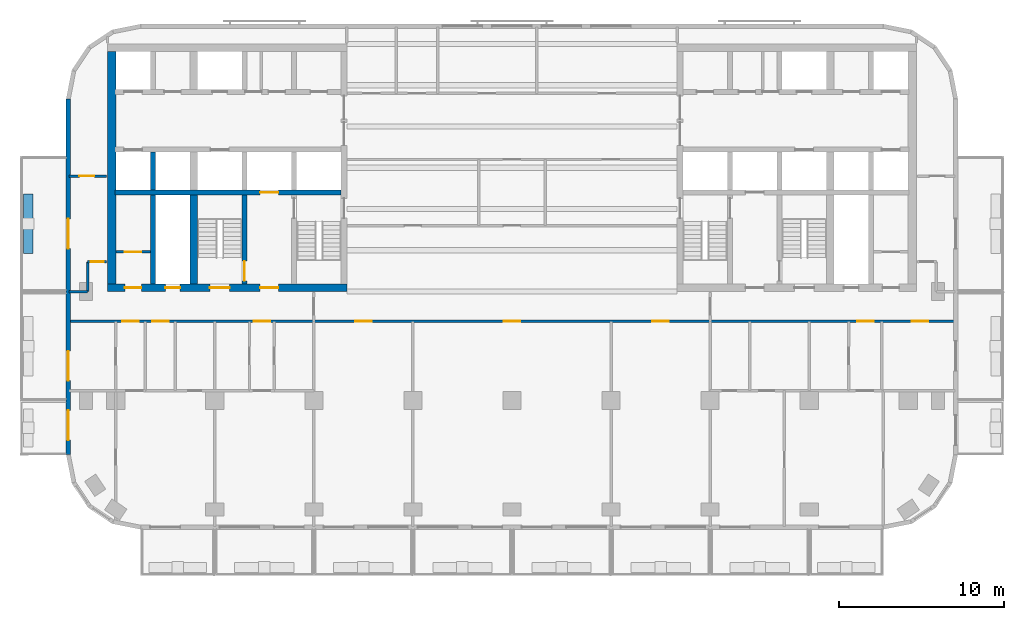
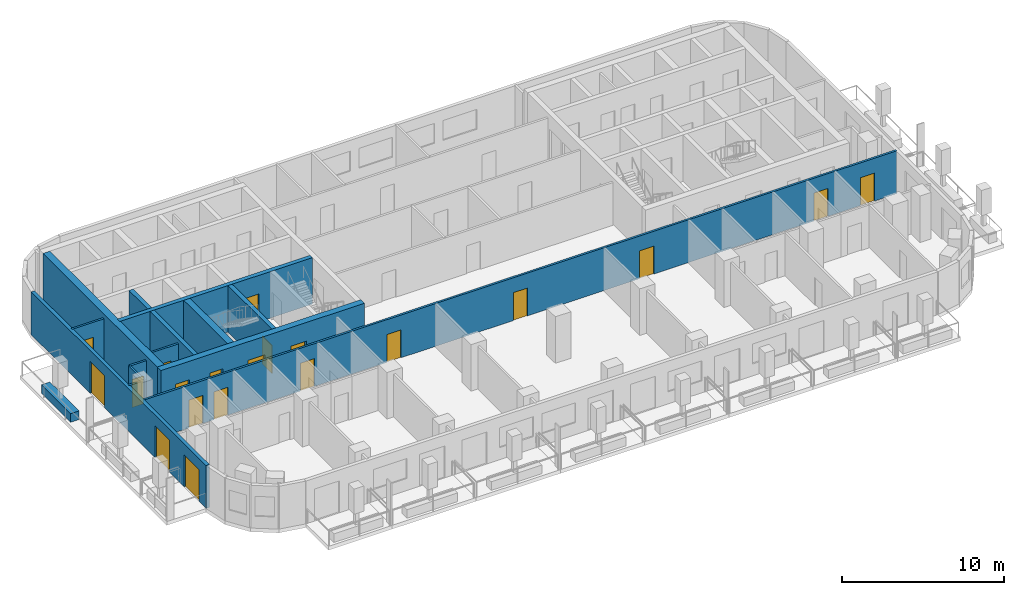
# One storey, part 3 of 11: 20 doors, 15 walls, 20 openings.
"""IFC4 building model written with IfcOpenShell, lengths in metres."""

from ifc_helpers import new_model, si_unit, direction, frame, frame_2d, origin, place, context, subcontext, project, spatial, rectangle, extrude, material, layer, layer_set, type_object, element, fill, save


model = new_model("IFC4")

# Units and contexts
model_context = context("Model", 3, precision=1e-05, world=origin(), true_north=direction((0.0, 1.0)))
body_context = subcontext(model_context, "Body", "Model", "MODEL_VIEW")
ifc_project = project(units=[si_unit("LENGTHUNIT", "METRE"), si_unit("AREAUNIT", "SQUARE_METRE"), si_unit("VOLUMEUNIT", "CUBIC_METRE"), si_unit("PLANEANGLEUNIT", "RADIAN"), si_unit("MASSUNIT", "GRAM", prefix="KILO")], contexts=[model_context])

# Site, building, storey
site_placement = place(None, origin())
site = spatial("IfcSite", under=ifc_project, at=site_placement, CompositionType="ELEMENT")
building_placement = place(site_placement, origin())
building = spatial("IfcBuilding", under=site, at=building_placement, Name="Torana Hotel and Residences", CompositionType="ELEMENT")
storey_placement = place(building_placement, frame((0.0, 0.0, 222.10009765625)))
storey = spatial("IfcBuildingStorey", under=building, at=storey_placement, Name="L58", CompositionType="ELEMENT", Elevation=222.10009765625)

# Wall, opening, door
ifc_material_1 = material(Name="Concrete C70/85", Category="concrete")
ifc_layer_1 = layer(ifc_material_1, 0.300048828125)
ifc_layer_set_1 = layer_set([ifc_layer_1], Name="CORE WALL 300 C70/85")
wall_type_1 = type_object("IfcWallType", Name="CORE WALL 300 C70/85", PredefinedType="SHEAR", material=ifc_layer_set_1)
wall_1_placement = place(storey_placement, frame((-24.050048828125, -9.0, 0.0), z_axis=(0.0, 0.0, 1.0), x_axis=(1.0, 0.0, 0.0)))
wall_1 = element("IfcWall", 1, at=wall_1_placement, inside=storey, type_object=wall_type_1, Name="Core wall W band", PredefinedType="SHEAR", context=body_context, shape_type="SweptSolid", body=[
    extrude(rectangle(XDim=13.699951171875, YDim=0.300048828125, at=frame_2d((6.85009765625, 0.0))), origin(), (0.0, 0.0, 1.0), 3.5),
])
opening_1_placement = place(wall_1_placement, frame((8.800048828125, 0.0, 0.0)))
opening_1 = element("IfcOpeningElement", 2, at=opening_1_placement, cuts=wall_1, Name="Opening LD", PredefinedType="OPENING", context=body_context, shape_type="SweptSolid", body=[
    extrude(rectangle(XDim=1.10009765625, YDim=2.10009765625, at=frame_2d((0.550048828125, 1.050048828125))), frame((0.0, 0.159912109375, 0.0), z_axis=(0.0, -1.0, 0.0), x_axis=(1.0, 0.0, 0.0)), (0.0, 0.0, 1.0), 0.320068359375),
])
ifc_material_2 = material(Name="Stainless steel 316", Category="steel")
door_type_1 = type_object("IfcDoorType", Name="LIFT LANDING DOOR LD 1100x2100", OperationType="DOUBLE_DOOR_SLIDING", PredefinedType="USERDEFINED", material=ifc_material_2)
door_1_placement = place(opening_1_placement, origin())
door_1 = element("IfcDoor", 3, at=door_1_placement, inside=storey, type_object=door_type_1, Name="Lift landing door FF1 L58", ObjectType="LIFT LANDING DOOR", OperationType="DOUBLE_DOOR_SLIDING", OverallHeight=2.10009765625, OverallWidth=1.10009765625, PredefinedType="USERDEFINED", context=body_context, shape_type="SweptSolid", body=[
    extrude(rectangle(XDim=1.10009765625, YDim=2.10009765625, at=frame_2d((0.550048828125, 1.050048828125))), frame((0.0, 0.02490234375, 0.0), z_axis=(0.0, -1.0, 0.0), x_axis=(1.0, 0.0, 0.0)), (0.0, 0.0, 1.0), 0.050048828125),
])
fill(opening_1, door_1)

wall_2_placement = place(storey_placement, frame((-16.199951171875, -14.550048828125, 0.0), z_axis=(0.0, 0.0, 1.0), x_axis=(0.0, 1.0, 0.0)))
wall_2 = element("IfcWall", 4, at=wall_2_placement, inside=storey, type_object=wall_type_1, Name="Core wall W x6.05-band", PredefinedType="SHEAR", context=body_context, shape_type="SweptSolid", body=[
    extrude(rectangle(XDim=5.400146484375, YDim=0.300048828125, at=frame_2d((2.7001953125, 0.0))), origin(), (0.0, 0.0, 1.0), 3.5),
])
opening_2_placement = place(wall_2_placement, frame((0.199951171875, 0.0, 0.0)))
opening_2 = element("IfcOpeningElement", 5, at=opening_2_placement, cuts=wall_2, Name="Opening L58-14", PredefinedType="OPENING", context=body_context, shape_type="SweptSolid", body=[
    extrude(rectangle(XDim=1.199951171875, YDim=2.10009765625, at=frame_2d((0.60009765625, 1.050048828125))), frame((0.0, 0.159912109375, 0.0), z_axis=(0.0, -1.0, 0.0), x_axis=(1.0, 0.0, 0.0)), (0.0, 0.0, 1.0), 0.320068359375),
])
ifc_material_3 = material(Name="Steel S235", Category="steel")
door_type_2 = type_object("IfcDoorType", Name="STAIR FIRE DOOR D3 1200x2100", OperationType="SINGLE_SWING_LEFT", PredefinedType="DOOR", material=ifc_material_3)
door_2_placement = place(opening_2_placement, origin())
door_2 = element("IfcDoor", 6, at=door_2_placement, inside=storey, type_object=door_type_2, Name="Stair-B-lobby door L58", OperationType="SINGLE_SWING_RIGHT", OverallHeight=2.10009765625, OverallWidth=1.199951171875, PredefinedType="DOOR", context=body_context, shape_type="SweptSolid", body=[
    extrude(rectangle(XDim=1.199951171875, YDim=2.10009765625, at=frame_2d((0.60009765625, 1.050048828125))), frame((0.0, 0.02490234375, 0.0), z_axis=(0.0, -1.0, 0.0), x_axis=(1.0, 0.0, 0.0)), (0.0, 0.0, 1.0), 0.050048828125),
])
fill(opening_2, door_2)

# Walls
wall_3_placement = place(storey_placement, frame((-21.75, -8.85009765625, 0.0), z_axis=(0.0, 0.0, 1.0), x_axis=(0.0, 1.0, 0.0)))
element("IfcWall", 7, at=wall_3_placement, inside=storey, type_object=wall_type_1, Name="Core wall W mm-S", PredefinedType="SHEAR", context=body_context, shape_type="SweptSolid", body=[
    extrude(rectangle(XDim=2.300048828125, YDim=0.300048828125, at=frame_2d((1.14990234375, 0.0))), origin(), (0.0, 0.0, 1.0), 3.5),
])
wall_4_placement = place(storey_placement, frame((-21.75, -14.550048828125, 0.0), z_axis=(0.0, 0.0, 1.0), x_axis=(0.0, 1.0, 0.0)))
element("IfcWall", 8, at=wall_4_placement, inside=storey, type_object=wall_type_1, Name="Core wall W mm-band", PredefinedType="SHEAR", context=body_context, shape_type="SweptSolid", body=[
    extrude(rectangle(XDim=5.400146484375, YDim=0.300048828125, at=frame_2d((2.7001953125, 0.0))), origin(), (0.0, 0.0, 1.0), 3.5),
])

# Wall, openings, doors
ifc_material_4 = material(Name="Concrete C70/85", Category="concrete")
ifc_layer_2 = layer(ifc_material_4, 0.449951171875)
ifc_layer_set_2 = layer_set([ifc_layer_2], Name="CORE WALL 450 C70/85")
wall_type_2 = type_object("IfcWallType", Name="CORE WALL 450 C70/85", PredefinedType="SHEAR", material=ifc_layer_set_2)
wall_5_placement = place(storey_placement, frame((-24.5, -14.77490234375, 0.0), z_axis=(0.0, 0.0, 1.0), x_axis=(1.0, 0.0, 0.0)))
wall_5 = element("IfcWall", 9, at=wall_5_placement, inside=storey, type_object=wall_type_2, Name="Core wall W front", PredefinedType="SHEAR", context=body_context, shape_type="SweptSolid", body=[
    extrude(rectangle(XDim=14.5, YDim=0.449951171875, at=frame_2d((7.25, 0.0))), origin(), (0.0, 0.0, 1.0), 3.5),
])
opening_3_placement = place(wall_5_placement, frame((6.199951171875, 0.0, 0.0)))
opening_3 = element("IfcOpeningElement", 10, at=opening_3_placement, cuts=wall_5, Name="Opening L58-04", PredefinedType="OPENING", context=body_context, shape_type="SweptSolid", body=[
    extrude(rectangle(XDim=1.199951171875, YDim=2.10009765625, at=frame_2d((0.60009765625, 1.050048828125))), frame((0.0, 0.23486328125, 0.0), z_axis=(0.0, -1.0, 0.0), x_axis=(1.0, 0.0, 0.0)), (0.0, 0.0, 1.0), 0.469970703125),
])
opening_4_placement = place(wall_5_placement, frame((9.25, 0.0, 0.0)))
opening_4 = element("IfcOpeningElement", 11, at=opening_4_placement, cuts=wall_5, Name="Opening L58-05", PredefinedType="OPENING", context=body_context, shape_type="SweptSolid", body=[
    extrude(rectangle(XDim=1.10009765625, YDim=2.10009765625, at=frame_2d((0.550048828125, 1.050048828125))), frame((0.0, 0.23486328125, 0.0), z_axis=(0.0, -1.0, 0.0), x_axis=(1.0, 0.0, 0.0)), (0.0, 0.0, 1.0), 0.469970703125),
])
opening_5_placement = place(wall_5_placement, frame((3.5, 0.0, 0.0)))
opening_5 = element("IfcOpeningElement", 12, at=opening_5_placement, cuts=wall_5, Name="Opening L58-06", PredefinedType="OPENING", context=body_context, shape_type="SweptSolid", body=[
    extrude(rectangle(XDim=0.89990234375, YDim=2.10009765625, at=frame_2d((0.449951171875, 1.050048828125))), frame((0.0, 0.23486328125, 0.0), z_axis=(0.0, -1.0, 0.0), x_axis=(1.0, 0.0, 0.0)), (0.0, 0.0, 1.0), 0.469970703125),
])
opening_6_placement = place(wall_5_placement, frame((1.050048828125, 0.0, 0.0)))
opening_6 = element("IfcOpeningElement", 13, at=opening_6_placement, cuts=wall_5, Name="Opening L58-07", PredefinedType="OPENING", context=body_context, shape_type="SweptSolid", body=[
    extrude(rectangle(XDim=1.0, YDim=2.10009765625, at=frame_2d((0.5, 1.050048828125))), frame((0.0, 0.23486328125, 0.0), z_axis=(0.0, -1.0, 0.0), x_axis=(1.0, 0.0, 0.0)), (0.0, 0.0, 1.0), 0.469970703125),
])
ifc_material_5 = material(Name="Steel S235", Category="steel")
door_type_3 = type_object("IfcDoorType", Name="CORE ROOM FIRE DOOR D14 1000x2100", OperationType="SINGLE_SWING_LEFT", PredefinedType="DOOR", material=ifc_material_5)
door_3_placement = place(opening_6_placement, origin())
door_3 = element("IfcDoor", 14, at=door_3_placement, inside=storey, type_object=door_type_3, Name="M-Room-B door L58", OperationType="SINGLE_SWING_RIGHT", OverallHeight=2.10009765625, OverallWidth=1.0, PredefinedType="DOOR", context=body_context, shape_type="SweptSolid", body=[
    extrude(rectangle(XDim=1.0, YDim=2.10009765625, at=frame_2d((0.5, 1.050048828125))), frame((0.0, 0.02490234375, 0.0), z_axis=(0.0, -1.0, 0.0), x_axis=(1.0, 0.0, 0.0)), (0.0, 0.0, 1.0), 0.050048828125),
])
fill(opening_6, door_3)
ifc_material_6 = material(Name="Steel S235", Category="steel")
door_type_4 = type_object("IfcDoorType", Name="FIRE-FIGHTING LOBBY DOOR D8 1100x2100", OperationType="SINGLE_SWING_LEFT", PredefinedType="DOOR", material=ifc_material_6)
door_4_placement = place(opening_4_placement, origin())
door_4 = element("IfcDoor", 15, at=door_4_placement, inside=storey, type_object=door_type_4, Name="FF-lobby door L58", OperationType="SINGLE_SWING_RIGHT", OverallHeight=2.10009765625, OverallWidth=1.10009765625, PredefinedType="DOOR", context=body_context, shape_type="SweptSolid", body=[
    extrude(rectangle(XDim=1.10009765625, YDim=2.10009765625, at=frame_2d((0.550048828125, 1.050048828125))), frame((0.0, 0.02490234375, 0.0), z_axis=(0.0, -1.0, 0.0), x_axis=(1.0, 0.0, 0.0)), (0.0, 0.0, 1.0), 0.050048828125),
])
fill(opening_4, door_4)
ifc_material_7 = material(Name="Steel S235", Category="steel")
door_type_5 = type_object("IfcDoorType", Name="RISER ACCESS DOOR D5 900x2100", OperationType="SINGLE_SWING_LEFT", PredefinedType="DOOR", material=ifc_material_7)
door_5_placement = place(opening_5_placement, origin())
door_5 = element("IfcDoor", 16, at=door_5_placement, inside=storey, type_object=door_type_5, Name="M-Riser door L58", OperationType="SINGLE_SWING_RIGHT", OverallHeight=2.10009765625, OverallWidth=0.89990234375, PredefinedType="DOOR", context=body_context, shape_type="SweptSolid", body=[
    extrude(rectangle(XDim=0.89990234375, YDim=2.10009765625, at=frame_2d((0.449951171875, 1.050048828125))), frame((0.0, 0.02490234375, 0.0), z_axis=(0.0, -1.0, 0.0), x_axis=(1.0, 0.0, 0.0)), (0.0, 0.0, 1.0), 0.050048828125),
])
fill(opening_5, door_5)
door_6_placement = place(opening_3_placement, origin())
door_6 = element("IfcDoor", 17, at=door_6_placement, inside=storey, type_object=door_type_2, Name="Stair-B door L58", OperationType="SINGLE_SWING_RIGHT", OverallHeight=2.10009765625, OverallWidth=1.199951171875, PredefinedType="DOOR", context=body_context, shape_type="SweptSolid", body=[
    extrude(rectangle(XDim=1.199951171875, YDim=2.10009765625, at=frame_2d((0.60009765625, 1.050048828125))), frame((0.0, 0.02490234375, 0.0), z_axis=(0.0, -1.0, 0.0), x_axis=(1.0, 0.0, 0.0)), (0.0, 0.0, 1.0), 0.050048828125),
])
fill(opening_3, door_6)

# Walls
wall_6_placement = place(storey_placement, frame((-19.27490234375, -14.550048828125, 0.0), z_axis=(0.0, 0.0, 1.0), x_axis=(0.0, 1.0, 0.0)))
element("IfcWall", 18, at=wall_6_placement, inside=storey, type_object=wall_type_2, Name="Core wall W hm-band", PredefinedType="SHEAR", context=body_context, shape_type="SweptSolid", body=[
    extrude(rectangle(XDim=5.400146484375, YDim=0.449951171875, at=frame_2d((2.7001953125, 0.0))), origin(), (0.0, 0.0, 1.0), 3.5),
])
ifc_material_8 = material(Name="Concrete C70/85", Category="concrete")
ifc_layer_3 = layer(ifc_material_8, 0.5)
ifc_layer_set_3 = layer_set([ifc_layer_3], Name="CORE WALL 500 C70/85")
wall_type_3 = type_object("IfcWallType", Name="CORE WALL 500 C70/85", PredefinedType="SHEAR", material=ifc_layer_set_3)
wall_7_placement = place(storey_placement, frame((-24.25, -14.550048828125, 0.0), z_axis=(0.0, 0.0, 1.0), x_axis=(0.0, 1.0, 0.0)))
element("IfcWall", 19, at=wall_7_placement, inside=storey, type_object=wall_type_3, Name="Core wall W outer", PredefinedType="SHEAR", context=body_context, shape_type="SweptSolid", body=[
    extrude(rectangle(XDim=14.10009765625, YDim=0.5, at=frame_2d((7.050048828125, 0.0))), origin(), (0.0, 0.0, 1.0), 3.5),
])

# Wall, openings, doors
ifc_material_9 = material(Name="Black aluminium composite panel", Category="aluminium")
ifc_layer_4 = layer(ifc_material_9, 0.00390625, Name="Cladding", Category="cladding")
ifc_material_10 = material(Name="Ventilated air cavity")
ifc_layer_5 = layer(ifc_material_10, 0.0400390625, Name="Ventilated cavity", Category="cavity")
ifc_material_11 = material(Name="Mineral wool insulation")
ifc_layer_6 = layer(ifc_material_11, 0.090087890625, Name="Insulation", Category="insulation")
ifc_material_12 = material(Name="Steel S280GD", Category="steel")
ifc_layer_7 = layer(ifc_material_12, 0.092041015625, Name="Steel stud frame", Category="structure")
ifc_material_13 = material(Name="Fire rated plasterboard")
ifc_layer_8 = layer(ifc_material_13, 0.011962890625, Name="Inner board", Category="finish")
ifc_layer_9 = layer(ifc_material_13, 0.011962890625, Name="Second board", Category="finish")
ifc_layer_set_4 = layer_set([ifc_layer_4, ifc_layer_5, ifc_layer_6, ifc_layer_7, ifc_layer_8, ifc_layer_9], Name="EW1 EXTERNAL WALL BLACK METAL CLAD 250")
wall_type_4 = type_object("IfcWallType", Name="EW1 EXTERNAL WALL BLACK METAL CLAD 250", PredefinedType="SOLIDWALL", material=ifc_layer_set_4)
wall_8_placement = place(storey_placement, frame((-26.875, -3.32470703125, 0.0), z_axis=(0.0, 0.0, 1.0), x_axis=(0.0, -1.0, 0.0)))
wall_8 = element("IfcWall", 20, at=wall_8_placement, inside=storey, type_object=wall_type_4, Name="External wall L58 e0.9", PredefinedType="SOLIDWALL", context=body_context, shape_type="SweptSolid", body=[
    extrude(rectangle(XDim=21.55078125, YDim=0.25, at=frame_2d((10.775390625, 0.0))), origin(), (0.0, 0.0, 1.0), 3.219970703125),
])
opening_7_placement = place(wall_8_placement, frame((7.275390625, 0.0, 0.0)))
opening_7 = element("IfcOpeningElement", 21, at=opening_7_placement, cuts=wall_8, Name="Opening L58-E12", PredefinedType="OPENING", context=body_context, shape_type="SweptSolid", body=[
    extrude(rectangle(XDim=1.800048828125, YDim=2.39990234375, at=frame_2d((0.89990234375, 1.199951171875))), frame((0.0, 0.135009765625, 0.0), z_axis=(0.0, -1.0, 0.0), x_axis=(1.0, 0.0, 0.0)), (0.0, 0.0, 1.0), 0.27001953125),
])
opening_8_placement = place(wall_8_placement, frame((15.275390625, 0.0, 0.0)))
opening_8 = element("IfcOpeningElement", 22, at=opening_8_placement, cuts=wall_8, Name="Opening L58-E13", PredefinedType="OPENING", context=body_context, shape_type="SweptSolid", body=[
    extrude(rectangle(XDim=1.800048828125, YDim=2.39990234375, at=frame_2d((0.89990234375, 1.199951171875))), frame((0.0, 0.135009765625, 0.0), z_axis=(0.0, -1.0, 0.0), x_axis=(1.0, 0.0, 0.0)), (0.0, 0.0, 1.0), 0.27001953125),
])
opening_9_placement = place(wall_8_placement, frame((18.87548828125, 0.0, 0.0)))
opening_9 = element("IfcOpeningElement", 23, at=opening_9_placement, cuts=wall_8, Name="Opening L58-E14", PredefinedType="OPENING", context=body_context, shape_type="SweptSolid", body=[
    extrude(rectangle(XDim=1.800048828125, YDim=2.39990234375, at=frame_2d((0.89990234375, 1.199951171875))), frame((0.0, 0.135009765625, 0.0), z_axis=(0.0, -1.0, 0.0), x_axis=(1.0, 0.0, 0.0)), (0.0, 0.0, 1.0), 0.27001953125),
])
ifc_material_14 = material(Name="Dark glass in black aluminium frame", Category="aluminium")
door_type_6 = type_object("IfcDoorType", Name="DB1 BALCONY DOOR 1800x2400", OperationType="DOUBLE_DOOR_SINGLE_SWING", PredefinedType="DOOR", material=ifc_material_14)
door_7_placement = place(opening_7_placement, origin())
door_7 = element("IfcDoor", 24, at=door_7_placement, inside=storey, type_object=door_type_6, Name="Balcony door L58", OperationType="DOUBLE_DOOR_SINGLE_SWING", OverallHeight=2.39990234375, OverallWidth=1.800048828125, PredefinedType="DOOR", context=body_context, shape_type="SweptSolid", body=[
    extrude(rectangle(XDim=1.800048828125, YDim=2.39990234375, at=frame_2d((0.89990234375, 1.199951171875))), frame((0.0, 0.02490234375, 0.0), z_axis=(0.0, -1.0, 0.0), x_axis=(1.0, 0.0, 0.0)), (0.0, 0.0, 1.0), 0.050048828125),
])
fill(opening_7, door_7)
door_8_placement = place(opening_8_placement, origin())
door_8 = element("IfcDoor", 25, at=door_8_placement, inside=storey, type_object=door_type_6, Name="Balcony door L58", OperationType="DOUBLE_DOOR_SINGLE_SWING", OverallHeight=2.39990234375, OverallWidth=1.800048828125, PredefinedType="DOOR", context=body_context, shape_type="SweptSolid", body=[
    extrude(rectangle(XDim=1.800048828125, YDim=2.39990234375, at=frame_2d((0.89990234375, 1.199951171875))), frame((0.0, 0.02490234375, 0.0), z_axis=(0.0, -1.0, 0.0), x_axis=(1.0, 0.0, 0.0)), (0.0, 0.0, 1.0), 0.050048828125),
])
fill(opening_8, door_8)
door_9_placement = place(opening_9_placement, origin())
door_9 = element("IfcDoor", 26, at=door_9_placement, inside=storey, type_object=door_type_6, Name="Balcony door L58", OperationType="DOUBLE_DOOR_SINGLE_SWING", OverallHeight=2.39990234375, OverallWidth=1.800048828125, PredefinedType="DOOR", context=body_context, shape_type="SweptSolid", body=[
    extrude(rectangle(XDim=1.800048828125, YDim=2.39990234375, at=frame_2d((0.89990234375, 1.199951171875))), frame((0.0, 0.02490234375, 0.0), z_axis=(0.0, -1.0, 0.0), x_axis=(1.0, 0.0, 0.0)), (0.0, 0.0, 1.0), 0.050048828125),
])
fill(opening_9, door_9)

# Wall, opening, door
ifc_material_15 = material(Name="Gypsum plaster")
ifc_layer_10 = layer(ifc_material_15, 0.014892578125, Name="Plaster", Category="finish")
ifc_material_16 = material(Name="Concrete blockwork", Category="masonry")
ifc_layer_11 = layer(ifc_material_16, 0.1201171875, Name="Blockwork", Category="structure")
ifc_layer_12 = layer(ifc_material_15, 0.014892578125, Name="Plaster", Category="finish")
ifc_layer_set_5 = layer_set([ifc_layer_10, ifc_layer_11, ifc_layer_12], Name="FIRE PARTITION 150 BLOCKWORK")
wall_type_5 = type_object("IfcWallType", Name="FIRE PARTITION 150 BLOCKWORK", PredefinedType="PARTITIONING", material=ifc_layer_set_5)
wall_9_placement = place(storey_placement, frame((-24.0, -12.60009765625, 0.0), z_axis=(0.0, 0.0, 1.0), x_axis=(1.0, 0.0, 0.0)))
wall_9 = element("IfcWall", 27, at=wall_9_placement, inside=storey, type_object=wall_type_5, Name="Core partition L58", PredefinedType="PARTITIONING", context=body_context, shape_type="SweptSolid", body=[
    extrude(rectangle(XDim=2.10009765625, YDim=0.14990234375, at=frame_2d((1.050048828125, 0.0))), origin(), (0.0, 0.0, 1.0), 3.199951171875),
])
opening_10_placement = place(wall_9_placement, frame((0.550048828125, 0.0, 0.0)))
opening_10 = element("IfcOpeningElement", 28, at=opening_10_placement, cuts=wall_9, Name="Opening L58-29", PredefinedType="OPENING", context=body_context, shape_type="SweptSolid", body=[
    extrude(rectangle(XDim=1.0, YDim=2.10009765625, at=frame_2d((0.5, 1.050048828125))), frame((0.0, 0.0849609375, 0.0), z_axis=(0.0, -1.0, 0.0), x_axis=(1.0, 0.0, 0.0)), (0.0, 0.0, 1.0), 0.169921875),
])
door_10_placement = place(opening_10_placement, origin())
door_10 = element("IfcDoor", 29, at=door_10_placement, inside=storey, type_object=door_type_3, Name="Plant room door L58", OperationType="SINGLE_SWING_RIGHT", OverallHeight=2.10009765625, OverallWidth=1.0, PredefinedType="DOOR", context=body_context, shape_type="SweptSolid", body=[
    extrude(rectangle(XDim=1.0, YDim=2.10009765625, at=frame_2d((0.5, 1.050048828125))), frame((0.0, 0.02490234375, 0.0), z_axis=(0.0, -1.0, 0.0), x_axis=(1.0, 0.0, 0.0)), (0.0, 0.0, 1.0), 0.050048828125),
])
fill(opening_10, door_10)

# Wall
wall_10_placement = place(storey_placement, frame((-25.699951171875, -15.0, 0.0), z_axis=(0.0, 0.0, 1.0), x_axis=(0.0, 1.0, 0.0)))
element("IfcWall", 30, at=wall_10_placement, inside=storey, type_object=wall_type_5, Name="Partition L58", PredefinedType="PARTITIONING", context=body_context, shape_type="SweptSolid", body=[
    extrude(rectangle(XDim=1.800048828125, YDim=0.14990234375, at=frame_2d((0.89990234375, 0.0))), origin(), (0.0, 0.0, 1.0), 3.219970703125),
])

# Wall, openings, doors
wall_11_placement = place(storey_placement, frame((-26.820068359375, -16.800048828125, 0.0), z_axis=(0.0, 0.0, 1.0), x_axis=(1.0, 0.0, 0.0)))
wall_11 = element("IfcWall", 31, at=wall_11_placement, inside=storey, type_object=wall_type_5, Name="Partition L58", PredefinedType="PARTITIONING", context=body_context, shape_type="SweptSolid", body=[
    extrude(rectangle(XDim=53.64013671875, YDim=0.14990234375, at=frame_2d((26.820068359375, 0.0))), origin(), (0.0, 0.0, 1.0), 3.219970703125),
])
opening_11_placement = place(wall_11_placement, frame((11.169921875, 0.0, 0.0)))
opening_11 = element("IfcOpeningElement", 32, at=opening_11_placement, cuts=wall_11, Name="Opening L58-32", PredefinedType="OPENING", context=body_context, shape_type="SweptSolid", body=[
    extrude(rectangle(XDim=1.0, YDim=2.10009765625, at=frame_2d((0.5, 1.050048828125))), frame((0.0, 0.0849609375, 0.0), z_axis=(0.0, -1.0, 0.0), x_axis=(1.0, 0.0, 0.0)), (0.0, 0.0, 1.0), 0.169921875),
])
opening_12_placement = place(wall_11_placement, frame((3.219970703125, 0.0, 0.0)))
opening_12 = element("IfcOpeningElement", 33, at=opening_12_placement, cuts=wall_11, Name="Opening L58-33", PredefinedType="OPENING", context=body_context, shape_type="SweptSolid", body=[
    extrude(rectangle(XDim=1.0, YDim=2.10009765625, at=frame_2d((0.5, 1.050048828125))), frame((0.0, 0.0849609375, 0.0), z_axis=(0.0, -1.0, 0.0), x_axis=(1.0, 0.0, 0.0)), (0.0, 0.0, 1.0), 0.169921875),
])
opening_13_placement = place(wall_11_placement, frame((5.02001953125, 0.0, 0.0)))
opening_13 = element("IfcOpeningElement", 34, at=opening_13_placement, cuts=wall_11, Name="Opening L58-34", PredefinedType="OPENING", context=body_context, shape_type="SweptSolid", body=[
    extrude(rectangle(XDim=1.0, YDim=2.10009765625, at=frame_2d((0.5, 1.050048828125))), frame((0.0, 0.0849609375, 0.0), z_axis=(0.0, -1.0, 0.0), x_axis=(1.0, 0.0, 0.0)), (0.0, 0.0, 1.0), 0.169921875),
])
opening_14_placement = place(wall_11_placement, frame((47.719970703125, 0.0, 0.0)))
opening_14 = element("IfcOpeningElement", 35, at=opening_14_placement, cuts=wall_11, Name="Opening L58-37", PredefinedType="OPENING", context=body_context, shape_type="SweptSolid", body=[
    extrude(rectangle(XDim=1.0, YDim=2.10009765625, at=frame_2d((0.5, 1.050048828125))), frame((0.0, 0.0849609375, 0.0), z_axis=(0.0, -1.0, 0.0), x_axis=(1.0, 0.0, 0.0)), (0.0, 0.0, 1.0), 0.169921875),
])
opening_15_placement = place(wall_11_placement, frame((51.0400390625, 0.0, 0.0)))
opening_15 = element("IfcOpeningElement", 36, at=opening_15_placement, cuts=wall_11, Name="Opening L58-38", PredefinedType="OPENING", context=body_context, shape_type="SweptSolid", body=[
    extrude(rectangle(XDim=1.0, YDim=2.10009765625, at=frame_2d((0.5, 1.050048828125))), frame((0.0, 0.0849609375, 0.0), z_axis=(0.0, -1.0, 0.0), x_axis=(1.0, 0.0, 0.0)), (0.0, 0.0, 1.0), 0.169921875),
])
opening_16_placement = place(wall_11_placement, frame((17.320068359375, 0.0, 0.0)))
opening_16 = element("IfcOpeningElement", 37, at=opening_16_placement, cuts=wall_11, Name="Opening L58-41", PredefinedType="OPENING", context=body_context, shape_type="SweptSolid", body=[
    extrude(rectangle(XDim=1.0, YDim=2.10009765625, at=frame_2d((0.5, 1.050048828125))), frame((0.0, 0.0849609375, 0.0), z_axis=(0.0, -1.0, 0.0), x_axis=(1.0, 0.0, 0.0)), (0.0, 0.0, 1.0), 0.169921875),
])
opening_17_placement = place(wall_11_placement, frame((26.320068359375, 0.0, 0.0)))
opening_17 = element("IfcOpeningElement", 38, at=opening_17_placement, cuts=wall_11, Name="Opening L58-42", PredefinedType="OPENING", context=body_context, shape_type="SweptSolid", body=[
    extrude(rectangle(XDim=1.0, YDim=2.10009765625, at=frame_2d((0.5, 1.050048828125))), frame((0.0, 0.0849609375, 0.0), z_axis=(0.0, -1.0, 0.0), x_axis=(1.0, 0.0, 0.0)), (0.0, 0.0, 1.0), 0.169921875),
])
opening_18_placement = place(wall_11_placement, frame((35.320068359375, 0.0, 0.0)))
opening_18 = element("IfcOpeningElement", 39, at=opening_18_placement, cuts=wall_11, Name="Opening L58-43", PredefinedType="OPENING", context=body_context, shape_type="SweptSolid", body=[
    extrude(rectangle(XDim=1.0, YDim=2.10009765625, at=frame_2d((0.5, 1.050048828125))), frame((0.0, 0.0849609375, 0.0), z_axis=(0.0, -1.0, 0.0), x_axis=(1.0, 0.0, 0.0)), (0.0, 0.0, 1.0), 0.169921875),
])
ifc_material_17 = material(Name="Steel S235", Category="steel")
door_type_7 = type_object("IfcDoorType", Name="ENTRY FIRE DOOR D6 1000x2100", OperationType="SINGLE_SWING_LEFT", PredefinedType="DOOR", material=ifc_material_17)
door_11_placement = place(opening_11_placement, origin())
door_11 = element("IfcDoor", 40, at=door_11_placement, inside=storey, type_object=door_type_7, Name="Door L58", OperationType="SINGLE_SWING_RIGHT", OverallHeight=2.10009765625, OverallWidth=1.0, PredefinedType="DOOR", context=body_context, shape_type="SweptSolid", body=[
    extrude(rectangle(XDim=1.0, YDim=2.10009765625, at=frame_2d((0.5, 1.050048828125))), frame((0.0, 0.02490234375, 0.0), z_axis=(0.0, -1.0, 0.0), x_axis=(1.0, 0.0, 0.0)), (0.0, 0.0, 1.0), 0.050048828125),
])
fill(opening_11, door_11)
door_12_placement = place(opening_12_placement, origin())
door_12 = element("IfcDoor", 41, at=door_12_placement, inside=storey, type_object=door_type_7, Name="Door L58", OperationType="SINGLE_SWING_RIGHT", OverallHeight=2.10009765625, OverallWidth=1.0, PredefinedType="DOOR", context=body_context, shape_type="SweptSolid", body=[
    extrude(rectangle(XDim=1.0, YDim=2.10009765625, at=frame_2d((0.5, 1.050048828125))), frame((0.0, 0.02490234375, 0.0), z_axis=(0.0, -1.0, 0.0), x_axis=(1.0, 0.0, 0.0)), (0.0, 0.0, 1.0), 0.050048828125),
])
fill(opening_12, door_12)
door_13_placement = place(opening_13_placement, frame((0.5, 0.0, 0.0), z_axis=(0.0, 0.0, 1.0), x_axis=(-1.0, 0.0, 0.0)))
door_13 = element("IfcDoor", 42, at=door_13_placement, inside=storey, type_object=door_type_7, Name="Door L58", OperationType="SINGLE_SWING_LEFT", OverallHeight=2.10009765625, OverallWidth=1.0, PredefinedType="DOOR", context=body_context, shape_type="SweptSolid", body=[
    extrude(rectangle(XDim=1.0, YDim=2.10009765625, at=frame_2d((0.0, 1.050048828125))), frame((0.0, -0.02490234375, 0.0), z_axis=(0.0, 1.0, 0.0), x_axis=(-1.0, 0.0, 0.0)), (0.0, 0.0, 1.0), 0.050048828125),
])
fill(opening_13, door_13)
door_14_placement = place(opening_14_placement, origin())
door_14 = element("IfcDoor", 43, at=door_14_placement, inside=storey, type_object=door_type_7, Name="Door L58", OperationType="SINGLE_SWING_RIGHT", OverallHeight=2.10009765625, OverallWidth=1.0, PredefinedType="DOOR", context=body_context, shape_type="SweptSolid", body=[
    extrude(rectangle(XDim=1.0, YDim=2.10009765625, at=frame_2d((0.5, 1.050048828125))), frame((0.0, 0.02490234375, 0.0), z_axis=(0.0, -1.0, 0.0), x_axis=(1.0, 0.0, 0.0)), (0.0, 0.0, 1.0), 0.050048828125),
])
fill(opening_14, door_14)
door_15_placement = place(opening_15_placement, frame((0.5, 0.0, 0.0), z_axis=(0.0, 0.0, 1.0), x_axis=(-1.0, 0.0, 0.0)))
door_15 = element("IfcDoor", 44, at=door_15_placement, inside=storey, type_object=door_type_7, Name="Door L58", OperationType="SINGLE_SWING_LEFT", OverallHeight=2.10009765625, OverallWidth=1.0, PredefinedType="DOOR", context=body_context, shape_type="SweptSolid", body=[
    extrude(rectangle(XDim=1.0, YDim=2.10009765625, at=frame_2d((0.0, 1.050048828125))), frame((0.0, -0.02490234375, 0.0), z_axis=(0.0, 1.0, 0.0), x_axis=(-1.0, 0.0, 0.0)), (0.0, 0.0, 1.0), 0.050048828125),
])
fill(opening_15, door_15)
door_16_placement = place(opening_16_placement, frame((0.5, 0.0, 0.0), z_axis=(0.0, 0.0, 1.0), x_axis=(-1.0, 0.0, 0.0)))
door_16 = element("IfcDoor", 45, at=door_16_placement, inside=storey, type_object=door_type_7, Name="Door L58", OperationType="SINGLE_SWING_LEFT", OverallHeight=2.10009765625, OverallWidth=1.0, PredefinedType="DOOR", context=body_context, shape_type="SweptSolid", body=[
    extrude(rectangle(XDim=1.0, YDim=2.10009765625, at=frame_2d((0.0, 1.050048828125))), frame((0.0, -0.02490234375, 0.0), z_axis=(0.0, 1.0, 0.0), x_axis=(-1.0, 0.0, 0.0)), (0.0, 0.0, 1.0), 0.050048828125),
])
fill(opening_16, door_16)
door_17_placement = place(opening_17_placement, frame((0.5, 0.0, 0.0), z_axis=(0.0, 0.0, 1.0), x_axis=(-1.0, 0.0, 0.0)))
door_17 = element("IfcDoor", 46, at=door_17_placement, inside=storey, type_object=door_type_7, Name="Door L58", OperationType="SINGLE_SWING_LEFT", OverallHeight=2.10009765625, OverallWidth=1.0, PredefinedType="DOOR", context=body_context, shape_type="SweptSolid", body=[
    extrude(rectangle(XDim=1.0, YDim=2.10009765625, at=frame_2d((0.0, 1.050048828125))), frame((0.0, -0.02490234375, 0.0), z_axis=(0.0, 1.0, 0.0), x_axis=(-1.0, 0.0, 0.0)), (0.0, 0.0, 1.0), 0.050048828125),
])
fill(opening_17, door_17)
door_18_placement = place(opening_18_placement, frame((0.5, 0.0, 0.0), z_axis=(0.0, 0.0, 1.0), x_axis=(-1.0, 0.0, 0.0)))
door_18 = element("IfcDoor", 47, at=door_18_placement, inside=storey, type_object=door_type_7, Name="Door L58", OperationType="SINGLE_SWING_LEFT", OverallHeight=2.10009765625, OverallWidth=1.0, PredefinedType="DOOR", context=body_context, shape_type="SweptSolid", body=[
    extrude(rectangle(XDim=1.0, YDim=2.10009765625, at=frame_2d((0.0, 1.050048828125))), frame((0.0, -0.02490234375, 0.0), z_axis=(0.0, 1.0, 0.0), x_axis=(-1.0, 0.0, 0.0)), (0.0, 0.0, 1.0), 0.050048828125),
])
fill(opening_18, door_18)

# Wall
wall_12_placement = place(storey_placement, frame((-26.820068359375, -15.0, 0.0), z_axis=(0.0, 0.0, 1.0), x_axis=(1.0, 0.0, 0.0)))
element("IfcWall", 48, at=wall_12_placement, inside=storey, type_object=wall_type_5, Name="Partition L58", PredefinedType="PARTITIONING", context=body_context, shape_type="SweptSolid", body=[
    extrude(rectangle(XDim=1.1201171875, YDim=0.14990234375, at=frame_2d((0.56005859375, 0.0))), origin(), (0.0, 0.0, 1.0), 3.219970703125),
])

# Wall, opening, door
wall_13_placement = place(storey_placement, frame((-25.699951171875, -13.199951171875, 0.0), z_axis=(0.0, 0.0, 1.0), x_axis=(1.0, 0.0, 0.0)))
wall_13 = element("IfcWall", 49, at=wall_13_placement, inside=storey, type_object=wall_type_5, Name="Partition L58", PredefinedType="PARTITIONING", context=body_context, shape_type="SweptSolid", body=[
    extrude(rectangle(XDim=1.14990234375, YDim=0.14990234375, at=frame_2d((0.574951171875, 0.0))), origin(), (0.0, 0.0, 1.0), 3.219970703125),
])
opening_19_placement = place(wall_13_placement, frame((0.175048828125, 0.0, 0.0)))
opening_19 = element("IfcOpeningElement", 50, at=opening_19_placement, cuts=wall_13, Name="Opening L58-35", PredefinedType="OPENING", context=body_context, shape_type="SweptSolid", body=[
    extrude(rectangle(XDim=0.800048828125, YDim=2.10009765625, at=frame_2d((0.39990234375, 1.050048828125))), frame((0.0, 0.0849609375, 0.0), z_axis=(0.0, -1.0, 0.0), x_axis=(1.0, 0.0, 0.0)), (0.0, 0.0, 1.0), 0.169921875),
])
ifc_material_18 = material(Name="Steel S235", Category="steel")
door_type_8 = type_object("IfcDoorType", Name="STORE FIRE DOOR D16 800x2100", OperationType="SINGLE_SWING_LEFT", PredefinedType="DOOR", material=ifc_material_18)
door_19_placement = place(opening_19_placement, origin())
door_19 = element("IfcDoor", 51, at=door_19_placement, inside=storey, type_object=door_type_8, Name="Door L58", OperationType="SINGLE_SWING_LEFT", OverallHeight=2.10009765625, OverallWidth=0.800048828125, PredefinedType="DOOR", context=body_context, shape_type="SweptSolid", body=[
    extrude(rectangle(XDim=0.800048828125, YDim=2.10009765625, at=frame_2d((0.39990234375, 1.050048828125))), frame((0.0, 0.02490234375, 0.0), z_axis=(0.0, -1.0, 0.0), x_axis=(1.0, 0.0, 0.0)), (0.0, 0.0, 1.0), 0.050048828125),
])
fill(opening_19, door_19)

# Wall
ifc_material_19 = material(Name="Concrete C40/50 precast", Category="concrete")
ifc_layer_13 = layer(ifc_material_19, 0.10009765625, Name="Planter shell", Category="structure")
ifc_material_20 = material(Name="Root resistant membrane")
ifc_layer_14 = layer(ifc_material_20, 0.00390625, Name="Waterproofing membrane", Category="membrane")
ifc_material_21 = material(Name="Drainage board with filter fleece")
ifc_layer_15 = layer(ifc_material_21, 0.02001953125, Name="Drainage board", Category="drainage")
ifc_material_22 = material(Name="Growing medium")
ifc_layer_16 = layer(ifc_material_22, 0.47607421875, Name="Planting substrate", Category="soil")
ifc_layer_set_6 = layer_set([ifc_layer_13, ifc_layer_14, ifc_layer_15, ifc_layer_16], Name="PL1 BALCONY PLANTER 600")
wall_type_6 = type_object("IfcWallType", Name="PL1 BALCONY PLANTER 600", PredefinedType="USERDEFINED", material=ifc_layer_set_6)
wall_14_placement = place(storey_placement, frame((-29.300048828125, -12.699951171875, 0.0), z_axis=(0.0, 0.0, 1.0), x_axis=(0.0, 1.0, 0.0)))
element("IfcWall", 52, at=wall_14_placement, inside=storey, type_object=wall_type_6, Name="Planter 11", ObjectType="PLANTER", PredefinedType="USERDEFINED", context=body_context, shape_type="SweptSolid", body=[
    extrude(rectangle(XDim=3.599853515625, YDim=0.60009765625, at=frame_2d((1.7998046875, 0.0))), origin(), (0.0, 0.0, 1.0), 0.64990234375),
])

# Wall, opening, door
ifc_material_23 = material(Name="Ceramic tile on adhesive")
ifc_layer_17 = layer(ifc_material_23, 0.010009765625, Name="Wall tile", Category="finish")
ifc_material_24 = material(Name="Cement render")
ifc_layer_18 = layer(ifc_material_24, 0.010009765625, Name="Render", Category="finish")
ifc_layer_19 = layer(ifc_material_16, 0.110107421875, Name="Blockwork", Category="structure")
ifc_layer_20 = layer(ifc_material_24, 0.010009765625, Name="Render", Category="finish")
ifc_layer_21 = layer(ifc_material_23, 0.010009765625, Name="Wall tile", Category="finish")
ifc_layer_set_7 = layer_set([ifc_layer_17, ifc_layer_18, ifc_layer_19, ifc_layer_20, ifc_layer_21], Name="WC PARTITION 150")
wall_type_7 = type_object("IfcWallType", Name="WC PARTITION 150", PredefinedType="PLUMBINGWALL", material=ifc_layer_set_7)
wall_15_placement = place(storey_placement, frame((-26.820068359375, -8.0, 0.0), z_axis=(0.0, 0.0, 1.0), x_axis=(1.0, 0.0, 0.0)))
wall_15 = element("IfcWall", 53, at=wall_15_placement, inside=storey, type_object=wall_type_7, Name="Partition L58", PredefinedType="PLUMBINGWALL", context=body_context, shape_type="SweptSolid", body=[
    extrude(rectangle(XDim=2.27001953125, YDim=0.14990234375, at=frame_2d((1.135009765625, 0.0))), origin(), (0.0, 0.0, 1.0), 3.219970703125),
])
opening_20_placement = place(wall_15_placement, frame((0.6201171875, 0.0, 0.0)))
opening_20 = element("IfcOpeningElement", 54, at=opening_20_placement, cuts=wall_15, Name="Opening L58-64", PredefinedType="OPENING", context=body_context, shape_type="SweptSolid", body=[
    extrude(rectangle(XDim=0.89990234375, YDim=2.10009765625, at=frame_2d((0.449951171875, 1.050048828125))), frame((0.0, 0.0849609375, 0.0), z_axis=(0.0, -1.0, 0.0), x_axis=(1.0, 0.0, 0.0)), (0.0, 0.0, 1.0), 0.169921875),
])
ifc_material_25 = material(Name="Timber door, oiled ash", Category="wood")
door_type_9 = type_object("IfcDoorType", Name="ROOM DOOR D7 900x2100", OperationType="SINGLE_SWING_LEFT", PredefinedType="DOOR", material=ifc_material_25)
door_20_placement = place(opening_20_placement, origin())
door_20 = element("IfcDoor", 55, at=door_20_placement, inside=storey, type_object=door_type_9, Name="Door L58", OperationType="SINGLE_SWING_RIGHT", OverallHeight=2.10009765625, OverallWidth=0.89990234375, PredefinedType="DOOR", context=body_context, shape_type="SweptSolid", body=[
    extrude(rectangle(XDim=0.89990234375, YDim=2.10009765625, at=frame_2d((0.449951171875, 1.050048828125))), frame((0.0, 0.02490234375, 0.0), z_axis=(0.0, -1.0, 0.0), x_axis=(1.0, 0.0, 0.0)), (0.0, 0.0, 1.0), 0.050048828125),
])
fill(opening_20, door_20)

save(model, "model.ifc")
